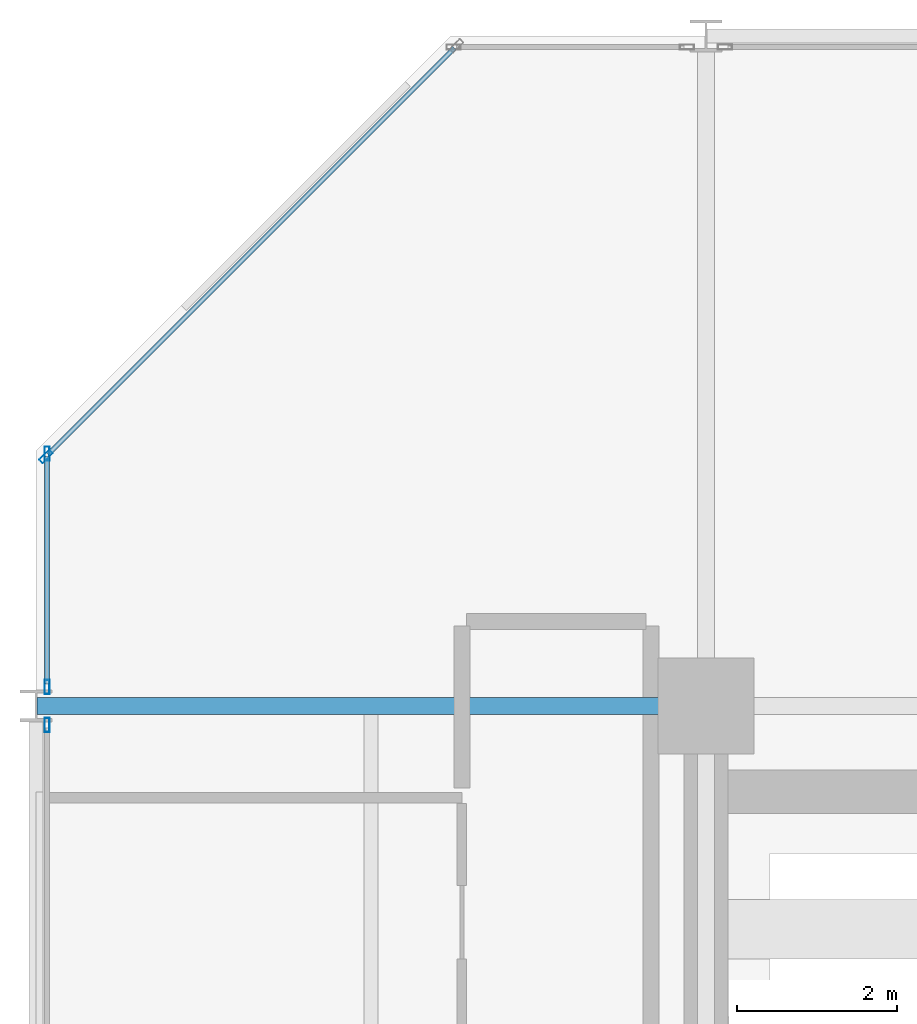
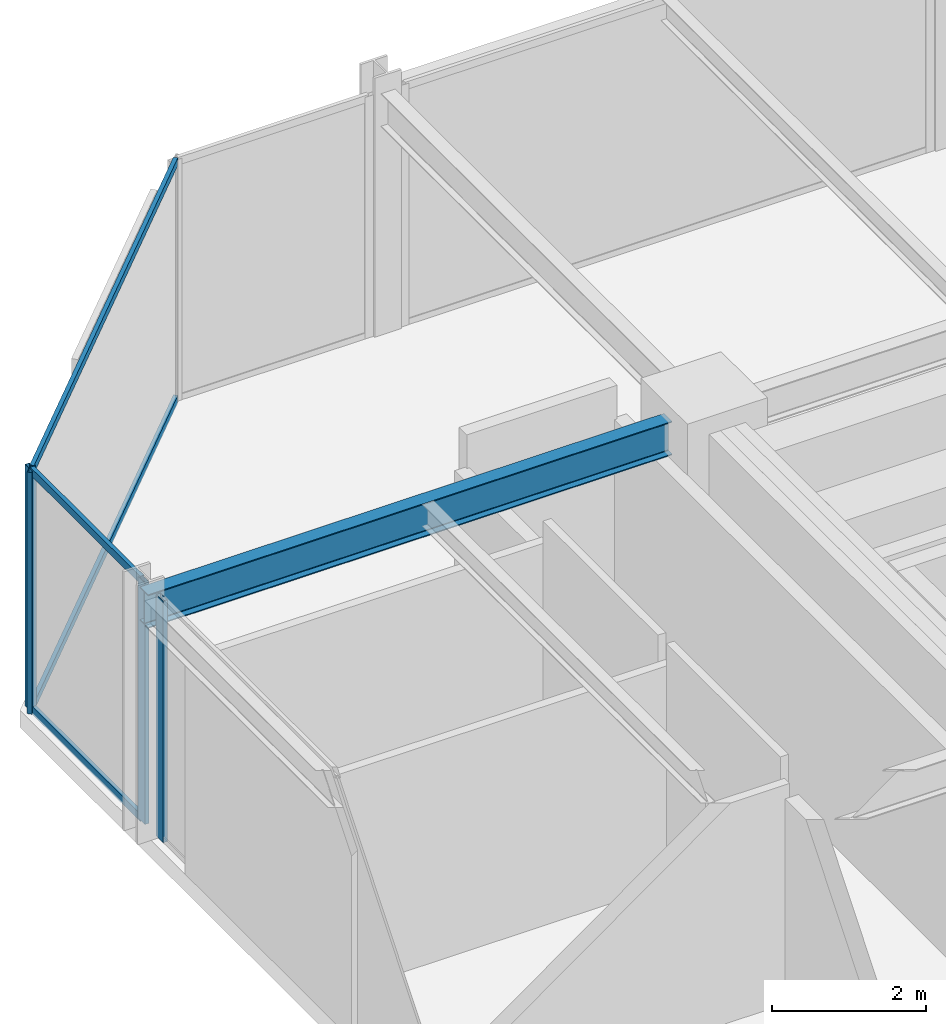
# One storey, part 25 of 38: 8 members, 1 beam, 3 elements without a shape of their own.
"""IFC4 building model written with IfcOpenShell, lengths in metres."""

import ifcopenshell
import ifcopenshell.guid

model = None  # the IFC model being written
_history = None  # IfcOwnerHistory: only IFC2X3 demands one
_inside = {}  # id of a spatial element -> (the spatial element, [elements in it])
_under = {}  # id of a project, library or spatial element -> (it, [spatial elements below it])
_declared = {}  # id of a project -> (the project, [libraries it declares])
_typed = {}  # id of a type object -> (the type object, [elements of that type])
_made_of = {}  # id of a material, layer set ... -> (it, [elements and type objects made of it])


def new_model(schema):
    """Start an empty IFC model of exactly this schema.

    Asked for "IFC4X3", IfcOpenShell would pick the latest addendum, in which some entities
    have other attributes; the version numbers below select the first issue.
    IFC2X3 requires an IfcOwnerHistory on every rooted entity: one is made here for all.
    """
    global model, _history
    if schema == "IFC4X3":
        model = ifcopenshell.file(schema_version=(4, 3, 0, 0))
    else:
        model = ifcopenshell.file(schema=schema)
    _inside.clear()
    _under.clear()
    _declared.clear()
    _typed.clear()
    _made_of.clear()
    _history = None
    if model.schema == "IFC2X3":
        org = make("IfcOrganization", Name="unknown")
        user = make(
            "IfcPersonAndOrganization",
            ThePerson=make("IfcPerson", FamilyName="unknown"),
            TheOrganization=org,
        )
        app = make(
            "IfcApplication",
            ApplicationDeveloper=org,
            Version="unknown",
            ApplicationFullName="unknown",
            ApplicationIdentifier="unknown",
        )
        _history = make(
            "IfcOwnerHistory",
            OwningUser=user,
            OwningApplication=app,
            ChangeAction="ADDED",
            CreationDate=0,
        )
    return model


def make(cls, **values):
    """One entity of the class cls with the attributes given. An attribute that is None is left unset."""
    return model.create_entity(
        cls, **{name: value for name, value in values.items() if value is not None}
    )


def rooted(cls, **values):
    """An entity with a GlobalId (a new one), such as an element, a storey or a relation."""
    return make(cls, GlobalId=ifcopenshell.guid.new(), OwnerHistory=_history, **values)


def si_unit(unit_type, name, prefix=None):
    """IfcSIUnit, for example si_unit("LENGTHUNIT", "METRE", prefix="MILLI")."""
    return make("IfcSIUnit", UnitType=unit_type, Prefix=prefix, Name=name)


def assignment(units):
    """IfcUnitAssignment: the units of a project."""
    return None if units is None else make("IfcUnitAssignment", Units=units)


def point(xyz):
    """IfcCartesianPoint."""
    return None if xyz is None else make("IfcCartesianPoint", Coordinates=xyz)


def direction(xyz):
    """IfcDirection."""
    return None if xyz is None else make("IfcDirection", DirectionRatios=xyz)


def frame(location, z_axis=None, x_axis=None):
    """IfcAxis2Placement3D, a coordinate frame: its origin and axes. An axis left out is left unset."""
    return make(
        "IfcAxis2Placement3D",
        Location=point(location),
        Axis=direction(z_axis),
        RefDirection=direction(x_axis),
    )


def frame_2d(location, x_axis=None):
    """IfcAxis2Placement2D, a coordinate frame in the plane: its origin and x axis."""
    return make(
        "IfcAxis2Placement2D", Location=point(location), RefDirection=direction(x_axis)
    )


def origin():
    """The frame at (0, 0, 0) with its axes left unset."""
    return frame((0.0, 0.0, 0.0))


def origin_2d():
    """The frame at (0, 0) in the plane with its x axis left unset."""
    return frame_2d((0.0, 0.0))


def place(relative_to, where):
    """IfcLocalPlacement: puts the frame where relative to a parent placement (None: the world)."""
    return make(
        "IfcLocalPlacement", PlacementRelTo=relative_to, RelativePlacement=where
    )


def context(
    kind, dimensions, precision=None, world=None, true_north=None, identifier=None
):
    """IfcGeometricRepresentationContext, for example the 3D "Model" context."""
    return make(
        "IfcGeometricRepresentationContext",
        ContextIdentifier=identifier,
        ContextType=kind,
        CoordinateSpaceDimension=dimensions,
        Precision=precision,
        WorldCoordinateSystem=world,
        TrueNorth=true_north,
    )


def subcontext(parent, identifier, kind, view, scale=None):
    """IfcGeometricRepresentationSubContext, for example "Body" below "Model"."""
    return make(
        "IfcGeometricRepresentationSubContext",
        ContextIdentifier=identifier,
        ContextType=kind,
        ParentContext=parent,
        TargetScale=scale,
        TargetView=view,
    )


def project(units=None, contexts=None):
    """IfcProject with its units and contexts."""
    return rooted(
        "IfcProject",
        Name="project",
        RepresentationContexts=contexts,
        UnitsInContext=assignment(units),
    )


def spatial(cls, under=None, at=None, **own):
    """A site, building, storey or space (cls), placed at a placement, below another one or the project."""
    s = rooted(cls, ObjectPlacement=at, **own)
    if under is not None:
        _under.setdefault(under.id(), (under, []))[1].append(s)
    return s


def profile(cls, at=None, kind="AREA", **sizes):
    """A parametric profile (cls). Its sizes go by their IFC names, for example OverallWidth=200.0."""
    return make(cls, ProfileType=kind, Position=at, **sizes)


def hollow_rectangle(**sizes):
    """IfcRectangleHollowProfileDef."""
    return profile("IfcRectangleHollowProfileDef", **sizes)


def i_section(**sizes):
    """IfcIShapeProfileDef."""
    return profile("IfcIShapeProfileDef", **sizes)


def extrude(swept, where, along, depth):
    """IfcExtrudedAreaSolid: the profile swept, set in the frame where, extruded along a direction by depth."""
    return make(
        "IfcExtrudedAreaSolid",
        SweptArea=swept,
        Position=where,
        ExtrudedDirection=direction(along),
        Depth=depth,
    )


def shape(context_of_items, identifier, shape_type, items):
    """IfcShapeRepresentation: the items that make up one representation, for example the "Body"."""
    return make(
        "IfcShapeRepresentation",
        ContextOfItems=context_of_items,
        RepresentationIdentifier=identifier,
        RepresentationType=shape_type,
        Items=items,
    )


def material(Name=None, Category=None):
    """IfcMaterial."""
    return make("IfcMaterial", Name=Name, Category=Category)


def layer(
    of_material, thickness, ventilated=None, Name=None, Category=None, Priority=None
):
    """IfcMaterialLayer: one layer of a wall or slab, of a material (None: an air gap)."""
    return make(
        "IfcMaterialLayer",
        Material=of_material,
        LayerThickness=thickness,
        IsVentilated=ventilated,
        Name=Name,
        Category=Category,
        Priority=Priority,
    )


def layer_set(layers, Name=None):
    """IfcMaterialLayerSet."""
    return make("IfcMaterialLayerSet", MaterialLayers=layers, LayerSetName=Name)


def material_profile(
    of_material, cross_section, Name=None, Category=None, Priority=None
):
    """IfcMaterialProfile: a cross section and its material."""
    return make(
        "IfcMaterialProfile",
        Name=Name,
        Material=of_material,
        Profile=cross_section,
        Priority=Priority,
        Category=Category,
    )


def profile_set(profiles, Name=None, composite=None):
    """IfcMaterialProfileSet."""
    return make(
        "IfcMaterialProfileSet",
        Name=Name,
        MaterialProfiles=profiles,
        CompositeProfile=composite,
    )


def made_of(thing, what):
    """Note that an element or type object is made of a material, layer set ...; save() writes the relation."""
    if what is not None:
        _made_of.setdefault(what.id(), (what, []))[1].append(thing)
    return thing


def type_object(cls, material=None, **own):
    """A type object (cls), such as IfcWallType, which elements share."""
    return made_of(rooted(cls, **own), material)


def element(
    cls,
    number,
    at=None,
    inside=None,
    cuts=None,
    type_object=None,
    material=None,
    context=None,
    identifier="Body",
    shape_type=None,
    held_by="IfcProductDefinitionShape",
    body=None,
    shapes=None,
    **own,
):
    """One element of the class cls, such as IfcWall. Its Tag is "e" and its number.

    at: its placement. inside: the storey or other place that contains it. cuts: it is an
    opening in that element (IfcRelVoidsElement). A single representation is given by context,
    identifier, shape_type and body (its items); several are given by shapes. held_by: the class
    of the entity that holds the representations. save() writes the other relations.
    """
    e = rooted(cls, Tag="e%d" % number, ObjectPlacement=at, **own)
    if body is not None:
        shapes = [shape(context, identifier, shape_type, body)]
    if shapes is not None:
        e.Representation = make(held_by, Representations=shapes)
    if inside is not None:
        _inside.setdefault(inside.id(), (inside, []))[1].append(e)
    if cuts is not None:
        rooted(
            "IfcRelVoidsElement", RelatingBuildingElement=cuts, RelatedOpeningElement=e
        )
    if type_object is not None:
        _typed.setdefault(type_object.id(), (type_object, []))[1].append(e)
    return made_of(e, material)


def aggregate(whole, parts):
    """IfcRelAggregates: a whole, such as a stair, and the parts it consists of."""
    return rooted("IfcRelAggregates", RelatingObject=whole, RelatedObjects=parts)


def save(model, path):
    """Write the relations noted so far, then the file.

    IfcRelAggregates (storeys below a building ...), IfcRelContainedInSpatialStructure (elements
    in a storey), IfcRelDefinesByType, IfcRelAssociatesMaterial and IfcRelDeclares: one each for
    every whole, place, type object, material and project.
    """
    for whole, parts in _under.values():
        aggregate(whole, parts)
    for where, things in _inside.values():
        rooted(
            "IfcRelContainedInSpatialStructure",
            RelatedElements=things,
            RelatingStructure=where,
        )
    for kind, things in _typed.values():
        rooted("IfcRelDefinesByType", RelatedObjects=things, RelatingType=kind)
    for what, things in _made_of.values():
        rooted("IfcRelAssociatesMaterial", RelatedObjects=things, RelatingMaterial=what)
    for by, libraries in _declared.values():
        rooted("IfcRelDeclares", RelatingContext=by, RelatedDefinitions=libraries)
    model.write(path)


model = new_model("IFC4")

# Units and contexts
model_context = context("Model", 3, precision=1e-05, world=origin(), true_north=direction((0.0, 1.0)))
body_context = subcontext(model_context, "Body", "Model", "MODEL_VIEW")
ifc_project = project(units=[si_unit("LENGTHUNIT", "METRE"), si_unit("AREAUNIT", "SQUARE_METRE"), si_unit("VOLUMEUNIT", "CUBIC_METRE"), si_unit("PLANEANGLEUNIT", "RADIAN"), si_unit("MASSUNIT", "GRAM", prefix="KILO")], contexts=[model_context])

# Site, building, storey
site_placement = place(None, origin())
site = spatial("IfcSite", under=ifc_project, at=site_placement, CompositionType="ELEMENT")
building_placement = place(site_placement, origin())
building = spatial("IfcBuilding", under=site, at=building_placement, Name="Nerrivon Quay Data Exchange", CompositionType="ELEMENT")
storey_placement = place(building_placement, frame((0.0, 0.0, 96.699951171875)))
storey = spatial("IfcBuildingStorey", under=building, at=storey_placement, Name="L22", CompositionType="ELEMENT", Elevation=96.699951171875)

# Beam
ifc_material_1 = material(Name="Steel Grade 350", Category="steel")
ifc_material_profile_1 = material_profile(ifc_material_1, i_section(OverallWidth=0.208984375, OverallDepth=0.532958984375, WebThickness=0.01025390625, FlangeThickness=0.015625, FilletRadius=0.013916015625, at=origin_2d()), Name="530UB92.4")
ifc_profile_set_1 = profile_set([ifc_material_profile_1], Name="Steel Grade 350")
beam_type = type_object("IfcBeamType", Name="BM-G3-530UB92", PredefinedType="BEAM", material=ifc_profile_set_1)
beam_placement = place(storey_placement, frame((0.012451171875, 42.0, 3.55859375), z_axis=(1.0, 0.0, 0.0), x_axis=(0.0, 1.0, 0.0)))
element("IfcBeam", 1, at=beam_placement, inside=storey, type_object=beam_type, Name="L22 EW Girder Y=42.0 (0.0..8.4)", PredefinedType="BEAM", context=body_context, shape_type="SweptSolid", body=[
    extrude(i_section(OverallWidth=0.208984375, OverallDepth=0.532958984375, WebThickness=0.01025390625, FlangeThickness=0.015625, FilletRadius=0.013916015625, at=origin_2d()), origin(), (0.0, 0.0, 1.0), 7.84765625),
])

# Curtain wall, member
ifc_material_2 = material(Name="Anodised aluminium 6063-T6", Category="aluminium")
ifc_layer = layer(ifc_material_2, 0.2099609375)
ifc_layer_set = layer_set([ifc_layer], Name="Anodised aluminium 6063-T6")
curtain_wall_type = type_object("IfcCurtainWallType", Name="CW-SYS-02", PredefinedType="NOTDEFINED", material=ifc_layer_set)
curtain_wall_1_placement = place(storey_placement, origin())
curtain_wall_1 = element("IfcCurtainWall", 2, at=curtain_wall_1_placement, inside=storey, type_object=curtain_wall_type, Name="L22 Unitised Curtain Wall 21", PredefinedType="NOTDEFINED")
ifc_material_profile_2 = material_profile(ifc_material_2, hollow_rectangle(XDim=0.06494140625, YDim=0.179931640625, WallThickness=0.00341796875, at=origin_2d()), Name="ALU-MULL-180x65")
ifc_profile_set_2 = profile_set([ifc_material_profile_2], Name="Anodised aluminium 6063-T6")
member_type_1 = type_object("IfcMemberType", Name="CWM-180x65", PredefinedType="MULLION", material=ifc_profile_set_2)
member_1_placement = place(storey_placement, frame((0.139892578125, 41.762451171875, 0.0), z_axis=(0.0, 0.0, 1.0), x_axis=(-1.0, 0.0, 0.0)))
member_1 = element("IfcMember", 3, at=member_1_placement, type_object=member_type_1, Name="CW02 mullion 2", PredefinedType="MULLION", context=body_context, shape_type="SweptSolid", body=[
    extrude(hollow_rectangle(XDim=0.06494140625, YDim=0.179931640625, WallThickness=0.00341796875, at=origin_2d()), origin(), (0.0, 0.0, 1.0), 3.824951171875),
])
aggregate(curtain_wall_1, [member_1])

# Curtain wall, members
curtain_wall_2_placement = place(storey_placement, origin())
curtain_wall_2 = element("IfcCurtainWall", 4, at=curtain_wall_2_placement, inside=storey, type_object=curtain_wall_type, Name="L22 Unitised Curtain Wall 22", PredefinedType="NOTDEFINED")
member_2_placement = place(storey_placement, frame((0.139892578125, 42.237548828125, 0.0), z_axis=(0.0, 0.0, 1.0), x_axis=(-1.0, 0.0, 0.0)))
member_2 = element("IfcMember", 5, at=member_2_placement, type_object=member_type_1, Name="CW02 mullion 1", PredefinedType="MULLION", context=body_context, shape_type="SweptSolid", body=[
    extrude(hollow_rectangle(XDim=0.06494140625, YDim=0.179931640625, WallThickness=0.00341796875, at=origin_2d()), origin(), (0.0, 0.0, 1.0), 3.824951171875),
])
member_3_placement = place(storey_placement, frame((0.139892578125, 45.16259765625, 0.0), z_axis=(0.0, 0.0, 1.0), x_axis=(-1.0, 0.0, 0.0)))
member_3 = element("IfcMember", 6, at=member_3_placement, type_object=member_type_1, Name="CW02 mullion 2", PredefinedType="MULLION", context=body_context, shape_type="SweptSolid", body=[
    extrude(hollow_rectangle(XDim=0.06494140625, YDim=0.179931640625, WallThickness=0.00341796875, at=origin_2d()), origin(), (0.0, 0.0, 1.0), 3.824951171875),
])

# Curtain wall, member
curtain_wall_3_placement = place(storey_placement, origin())
curtain_wall_3 = element("IfcCurtainWall", 7, at=curtain_wall_3_placement, inside=storey, type_object=curtain_wall_type, Name="L22 Unitised Curtain Wall 23", PredefinedType="NOTDEFINED")
member_4_placement = place(storey_placement, frame((0.12548828125, 45.12744140625, 0.0), z_axis=(0.0, 0.0, 1.0), x_axis=(-0.707106781187, 0.707106781187, 0.0)))
member_4 = element("IfcMember", 8, at=member_4_placement, type_object=member_type_1, Name="CW02 mullion 1", PredefinedType="MULLION", context=body_context, shape_type="SweptSolid", body=[
    extrude(hollow_rectangle(XDim=0.06494140625, YDim=0.179931640625, WallThickness=0.00341796875, at=origin_2d()), origin(), (0.0, 0.0, 1.0), 3.824951171875),
])

# Member
ifc_material_profile_3 = material_profile(ifc_material_2, hollow_rectangle(XDim=0.06005859375, YDim=0.1201171875, WallThickness=0.003173828125, at=origin_2d()), Name="ALU-TRAN-120x60")
ifc_profile_set_3 = profile_set([ifc_material_profile_3], Name="Anodised aluminium 6063-T6")
member_type_2 = type_object("IfcMemberType", Name="CWT-120x60", PredefinedType="USERDEFINED", material=ifc_profile_set_3)
member_5_placement = place(storey_placement, frame((0.139892578125, 42.27490234375, 0.032470703125), z_axis=(0.0, 1.0, 0.0), x_axis=(-1.0, 0.0, 0.0)))
member_5 = element("IfcMember", 9, at=member_5_placement, type_object=member_type_2, Name="CW02 transom 1.1", ObjectType="TRANSOM", PredefinedType="USERDEFINED", context=body_context, shape_type="SweptSolid", body=[
    extrude(hollow_rectangle(XDim=0.06005859375, YDim=0.1201171875, WallThickness=0.003173828125, at=origin_2d()), origin(), (0.0, 0.0, 1.0), 2.85009765625),
])

member_6_placement = place(storey_placement, frame((0.139892578125, 42.27490234375, 3.79248046875), z_axis=(0.0, 1.0, 0.0), x_axis=(-1.0, 0.0, 0.0)))
member_6 = element("IfcMember", 10, at=member_6_placement, type_object=member_type_2, Name="CW02 transom 1.2", ObjectType="TRANSOM", PredefinedType="USERDEFINED", context=body_context, shape_type="SweptSolid", body=[
    extrude(hollow_rectangle(XDim=0.06005859375, YDim=0.1201171875, WallThickness=0.003173828125, at=origin_2d()), origin(), (0.0, 0.0, 1.0), 2.85009765625),
])

aggregate(curtain_wall_2, [member_2, member_3, member_5, member_6])

member_7_placement = place(storey_placement, frame((0.152099609375, 45.154052734375, 0.032470703125), z_axis=(0.707089835771, 0.707123726196, 0.0), x_axis=(-0.707123726196, 0.707089835771, 0.0)))
member_7 = element("IfcMember", 11, at=member_7_placement, type_object=member_type_2, Name="CW02 transom 1.1", ObjectType="TRANSOM", PredefinedType="USERDEFINED", context=body_context, shape_type="SweptSolid", body=[
    extrude(hollow_rectangle(XDim=0.06005859375, YDim=0.1201171875, WallThickness=0.003173828125, at=origin_2d()), origin(), (0.0, 0.0, 1.0), 7.203857421875),
])

member_8_placement = place(storey_placement, frame((0.152099609375, 45.154052734375, 3.79248046875), z_axis=(0.707089835771, 0.707123726196, 0.0), x_axis=(-0.707123726196, 0.707089835771, 0.0)))
member_8 = element("IfcMember", 12, at=member_8_placement, type_object=member_type_2, Name="CW02 transom 1.2", ObjectType="TRANSOM", PredefinedType="USERDEFINED", context=body_context, shape_type="SweptSolid", body=[
    extrude(hollow_rectangle(XDim=0.06005859375, YDim=0.1201171875, WallThickness=0.003173828125, at=origin_2d()), origin(), (0.0, 0.0, 1.0), 7.203857421875),
])

aggregate(curtain_wall_3, [member_4, member_7, member_8])

save(model, "model.ifc")
